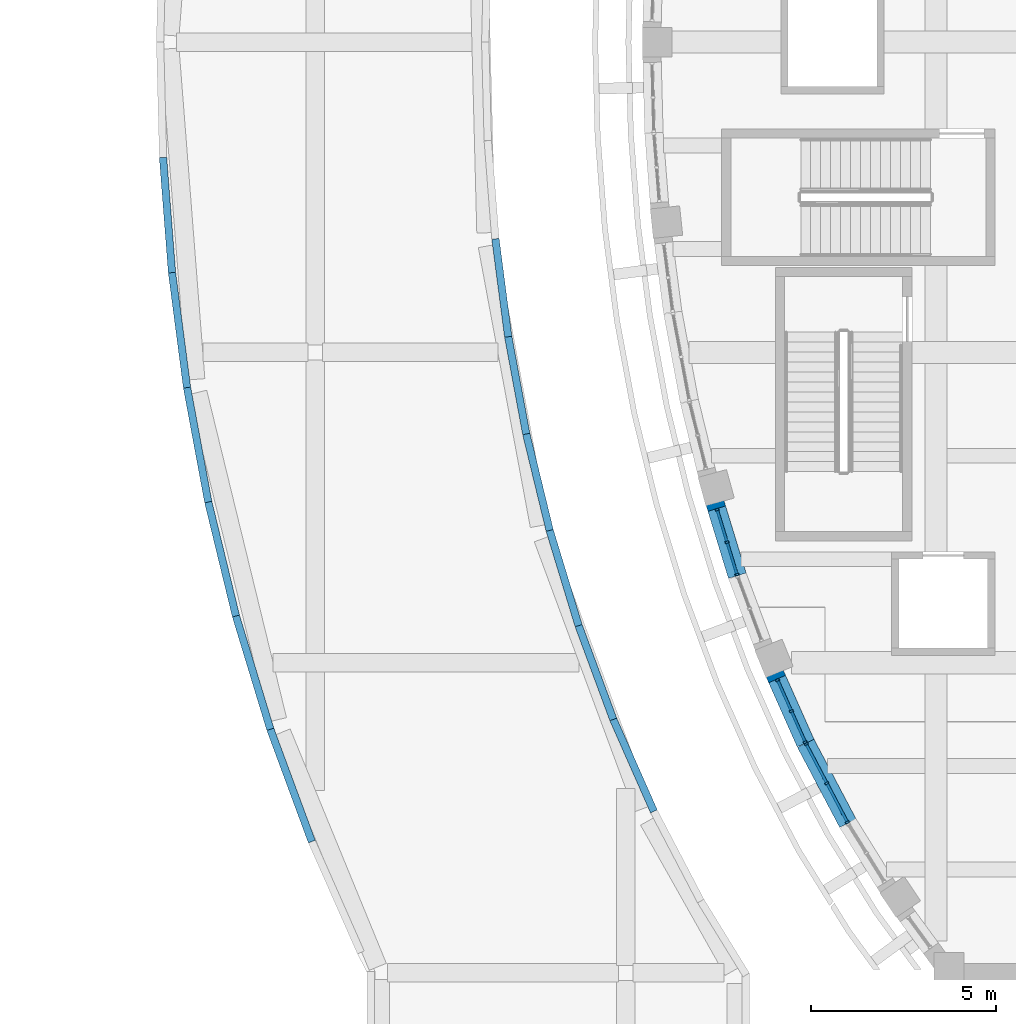
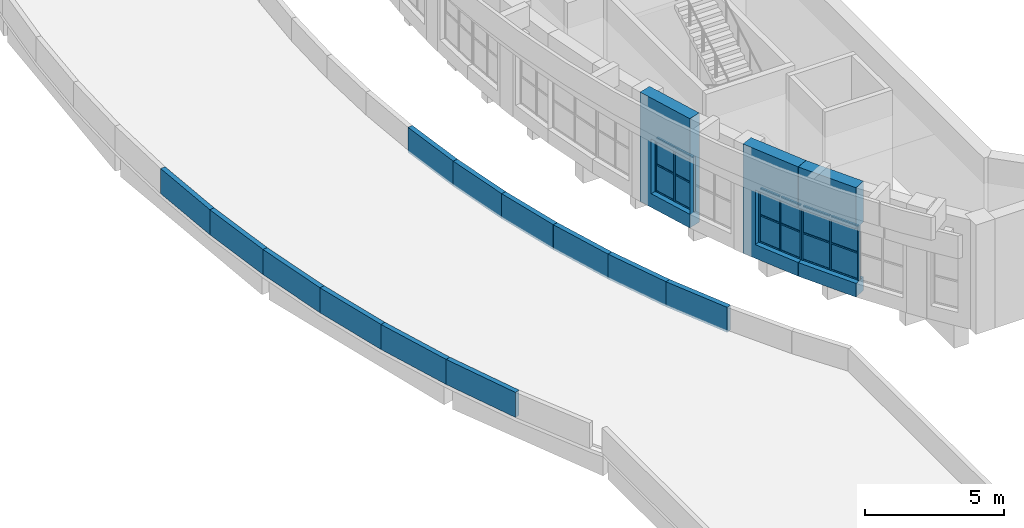
# One storey, part 18 of 79: 27 members, 15 walls, 12 plates, 3 openings, 3 elements without a shape of their own.
"""IFC4 building model written with IfcOpenShell, lengths in metres."""

from ifc_helpers import new_model, si_unit, direction, frame, frame_2d, origin, origin_2d, place, context, subcontext, project, spatial, rectangle, extrude, material, layer, layer_set, material_profile, profile_set, type_object, element, fill, aggregate, save


model = new_model("IFC4")

# Units and contexts
model_context = context("Model", 3, precision=1e-05, world=origin(), true_north=direction((0.0, 1.0)))
body_context = subcontext(model_context, "Body", "Model", "MODEL_VIEW")
ifc_project = project(units=[si_unit("LENGTHUNIT", "METRE"), si_unit("AREAUNIT", "SQUARE_METRE"), si_unit("VOLUMEUNIT", "CUBIC_METRE"), si_unit("PLANEANGLEUNIT", "RADIAN"), si_unit("MASSUNIT", "GRAM", prefix="KILO")], contexts=[model_context])

# Site, building, storey
site_placement = place(None, origin())
site = spatial("IfcSite", under=ifc_project, at=site_placement, CompositionType="ELEMENT")
building_placement = place(site_placement, origin())
building = spatial("IfcBuilding", under=site, at=building_placement, Name="Larchfold Concert Hall", CompositionType="ELEMENT")
storey_placement = place(building_placement, frame((0.0, 0.0, 14.39990234375)))
storey = spatial("IfcBuildingStorey", under=building, at=storey_placement, Name="L03", CompositionType="ELEMENT", Elevation=14.39990234375)

# Curtain wall, members
ifc_material_1 = material(Name="Anodised graphite aluminium curtain wall", Category="aluminium")
ifc_layer_1 = layer(ifc_material_1, 0.10009765625)
ifc_layer_set_1 = layer_set([ifc_layer_1], Name="Anodised graphite aluminium curtain wall")
curtain_wall_type = type_object("IfcCurtainWallType", Name="Curtain wall GB", PredefinedType="NOTDEFINED", material=ifc_layer_set_1)
curtain_wall_1_placement = place(storey_placement, origin())
curtain_wall_1 = element("IfcCurtainWall", 1, at=curtain_wall_1_placement, inside=storey, type_object=curtain_wall_type, Name="Curtain wall CW0044", PredefinedType="NOTDEFINED")
ifc_material_2 = material(Name="Anodised graphite aluminium mullion", Category="aluminium")
ifc_material_profile_1 = material_profile(ifc_material_2, rectangle(XDim=0.10009765625, YDim=0.06005859375, at=origin_2d()))
ifc_profile_set_1 = profile_set([ifc_material_profile_1], Name="Anodised graphite aluminium mullion")
member_type_1 = type_object("IfcMemberType", Name="Aluminium mullion 60x100", PredefinedType="MULLION", material=ifc_profile_set_1)
member_1_placement = place(storey_placement, frame((19.875, 71.94091796875, 0.60009765625), z_axis=(0.0, 0.0, 1.0), x_axis=(0.956258693977, 0.292522324264, 0.0)))
member_1 = element("IfcMember", 2, at=member_1_placement, type_object=member_type_1, Name="CW0044 mullion 1", PredefinedType="MULLION", context=body_context, shape_type="SweptSolid", body=[
    extrude(rectangle(XDim=0.10009765625, YDim=0.06005859375, at=origin_2d()), origin(), (0.0, 0.0, 1.0), 2.39990234375),
])
member_2_placement = place(storey_placement, frame((20.143798828125, 71.061767578125, 0.60009765625), z_axis=(0.0, 0.0, 1.0), x_axis=(0.956258693977, 0.292522324264, 0.0)))
member_2 = element("IfcMember", 3, at=member_2_placement, type_object=member_type_1, Name="CW0044 mullion 2", PredefinedType="MULLION", context=body_context, shape_type="SweptSolid", body=[
    extrude(rectangle(XDim=0.10009765625, YDim=0.06005859375, at=origin_2d()), origin(), (0.0, 0.0, 1.0), 2.39990234375),
])
member_3_placement = place(storey_placement, frame((20.412841796875, 70.182861328125, 0.60009765625), z_axis=(0.0, 0.0, 1.0), x_axis=(0.956258693977, 0.292522324264, 0.0)))
member_3 = element("IfcMember", 4, at=member_3_placement, type_object=member_type_1, Name="CW0044 mullion 3", PredefinedType="MULLION", context=body_context, shape_type="SweptSolid", body=[
    extrude(rectangle(XDim=0.10009765625, YDim=0.06005859375, at=origin_2d()), origin(), (0.0, 0.0, 1.0), 2.39990234375),
])

curtain_wall_2_placement = place(storey_placement, origin())
curtain_wall_2 = element("IfcCurtainWall", 5, at=curtain_wall_2_placement, inside=storey, type_object=curtain_wall_type, Name="Curtain wall CW0046", PredefinedType="NOTDEFINED")
member_4_placement = place(storey_placement, frame((21.511962890625, 67.328857421875, 0.60009765625), z_axis=(0.0, 0.0, 1.0), x_axis=(0.913540898179, 0.406746883645, 0.0)))
member_4 = element("IfcMember", 6, at=member_4_placement, type_object=member_type_1, Name="CW0046 mullion 1", PredefinedType="MULLION", context=body_context, shape_type="SweptSolid", body=[
    extrude(rectangle(XDim=0.10009765625, YDim=0.06005859375, at=origin_2d()), origin(), (0.0, 0.0, 1.0), 2.39990234375),
])
member_5_placement = place(storey_placement, frame((21.8857421875, 66.489013671875, 0.60009765625), z_axis=(0.0, 0.0, 1.0), x_axis=(0.913540898179, 0.406746883645, 0.0)))
member_5 = element("IfcMember", 7, at=member_5_placement, type_object=member_type_1, Name="CW0046 mullion 2", PredefinedType="MULLION", context=body_context, shape_type="SweptSolid", body=[
    extrude(rectangle(XDim=0.10009765625, YDim=0.06005859375, at=origin_2d()), origin(), (0.0, 0.0, 1.0), 2.39990234375),
])
member_6_placement = place(storey_placement, frame((22.259765625, 65.649169921875, 0.60009765625), z_axis=(0.0, 0.0, 1.0), x_axis=(0.913540898179, 0.406746883645, 0.0)))
member_6 = element("IfcMember", 8, at=member_6_placement, type_object=member_type_1, Name="CW0046 mullion 3", PredefinedType="MULLION", context=body_context, shape_type="SweptSolid", body=[
    extrude(rectangle(XDim=0.10009765625, YDim=0.06005859375, at=origin_2d()), origin(), (0.0, 0.0, 1.0), 2.39990234375),
])

curtain_wall_3_placement = place(storey_placement, origin())
curtain_wall_3 = element("IfcCurtainWall", 9, at=curtain_wall_3_placement, inside=storey, type_object=curtain_wall_type, Name="Curtain wall CW0047", PredefinedType="NOTDEFINED")
member_7_placement = place(storey_placement, frame((22.285888671875, 65.59521484375, 0.60009765625), z_axis=(0.0, 0.0, 1.0), x_axis=(0.884548161042, 0.466448872652, 0.0)))
member_7 = element("IfcMember", 10, at=member_7_placement, type_object=member_type_1, Name="CW0047 mullion 1", PredefinedType="MULLION", context=body_context, shape_type="SweptSolid", body=[
    extrude(rectangle(XDim=0.10009765625, YDim=0.06005859375, at=origin_2d()), origin(), (0.0, 0.0, 1.0), 2.39990234375),
])
member_8_placement = place(storey_placement, frame((22.843017578125, 64.53857421875, 0.60009765625), z_axis=(0.0, 0.0, 1.0), x_axis=(0.884548161042, 0.466448872652, 0.0)))
member_8 = element("IfcMember", 11, at=member_8_placement, type_object=member_type_1, Name="CW0047 mullion 2", PredefinedType="MULLION", context=body_context, shape_type="SweptSolid", body=[
    extrude(rectangle(XDim=0.10009765625, YDim=0.06005859375, at=origin_2d()), origin(), (0.0, 0.0, 1.0), 2.39990234375),
])
member_9_placement = place(storey_placement, frame((23.400390625, 63.482177734375, 0.60009765625), z_axis=(0.0, 0.0, 1.0), x_axis=(0.884548161042, 0.466448872652, 0.0)))
member_9 = element("IfcMember", 12, at=member_9_placement, type_object=member_type_1, Name="CW0047 mullion 3", PredefinedType="MULLION", context=body_context, shape_type="SweptSolid", body=[
    extrude(rectangle(XDim=0.10009765625, YDim=0.06005859375, at=origin_2d()), origin(), (0.0, 0.0, 1.0), 2.39990234375),
])

# Member
ifc_material_3 = material(Name="Anodised graphite aluminium transom", Category="aluminium")
ifc_material_profile_2 = material_profile(ifc_material_3, rectangle(XDim=0.080078125, YDim=0.06005859375, at=origin_2d()))
ifc_profile_set_2 = profile_set([ifc_material_profile_2], Name="Anodised graphite aluminium transom")
member_type_2 = type_object("IfcMemberType", Name="Aluminium transom 60x80", PredefinedType="USERDEFINED", material=ifc_profile_set_2)
member_10_placement = place(storey_placement, frame((19.8837890625, 71.912353515625, 0.630126953125), z_axis=(0.292608252028, -0.956232404201, 0.0), x_axis=(0.956232404201, 0.292608252028, 0.0)))
member_10 = element("IfcMember", 13, at=member_10_placement, type_object=member_type_2, Name="CW0044 transom 1.1", ObjectType="TRANSOM", PredefinedType="USERDEFINED", context=body_context, shape_type="SweptSolid", body=[
    extrude(rectangle(XDim=0.080078125, YDim=0.06005859375, at=origin_2d()), origin(), (0.0, 0.0, 1.0), 0.859375),
])

member_11_placement = place(storey_placement, frame((19.8837890625, 71.912353515625, 1.800048828125), z_axis=(0.292608252028, -0.956232404201, 0.0), x_axis=(0.956232404201, 0.292608252028, 0.0)))
member_11 = element("IfcMember", 14, at=member_11_placement, type_object=member_type_2, Name="CW0044 transom 1.2", ObjectType="TRANSOM", PredefinedType="USERDEFINED", context=body_context, shape_type="SweptSolid", body=[
    extrude(rectangle(XDim=0.080078125, YDim=0.06005859375, at=origin_2d()), origin(), (0.0, 0.0, 1.0), 0.859375),
])

member_12_placement = place(storey_placement, frame((19.8837890625, 71.912353515625, 2.969970703125), z_axis=(0.292608252028, -0.956232404201, 0.0), x_axis=(0.956232404201, 0.292608252028, 0.0)))
member_12 = element("IfcMember", 15, at=member_12_placement, type_object=member_type_2, Name="CW0044 transom 1.3", ObjectType="TRANSOM", PredefinedType="USERDEFINED", context=body_context, shape_type="SweptSolid", body=[
    extrude(rectangle(XDim=0.080078125, YDim=0.06005859375, at=origin_2d()), origin(), (0.0, 0.0, 1.0), 0.859375),
])

member_13_placement = place(storey_placement, frame((20.152587890625, 71.033203125, 0.630126953125), z_axis=(0.292608252028, -0.956232404201, 0.0), x_axis=(0.956232404201, 0.292608252028, 0.0)))
member_13 = element("IfcMember", 16, at=member_13_placement, type_object=member_type_2, Name="CW0044 transom 2.1", ObjectType="TRANSOM", PredefinedType="USERDEFINED", context=body_context, shape_type="SweptSolid", body=[
    extrude(rectangle(XDim=0.080078125, YDim=0.06005859375, at=origin_2d()), origin(), (0.0, 0.0, 1.0), 0.859375),
])

member_14_placement = place(storey_placement, frame((20.152587890625, 71.033203125, 1.800048828125), z_axis=(0.292608252028, -0.956232404201, 0.0), x_axis=(0.956232404201, 0.292608252028, 0.0)))
member_14 = element("IfcMember", 17, at=member_14_placement, type_object=member_type_2, Name="CW0044 transom 2.2", ObjectType="TRANSOM", PredefinedType="USERDEFINED", context=body_context, shape_type="SweptSolid", body=[
    extrude(rectangle(XDim=0.080078125, YDim=0.06005859375, at=origin_2d()), origin(), (0.0, 0.0, 1.0), 0.859375),
])

member_15_placement = place(storey_placement, frame((20.152587890625, 71.033203125, 2.969970703125), z_axis=(0.292608252028, -0.956232404201, 0.0), x_axis=(0.956232404201, 0.292608252028, 0.0)))
member_15 = element("IfcMember", 18, at=member_15_placement, type_object=member_type_2, Name="CW0044 transom 2.3", ObjectType="TRANSOM", PredefinedType="USERDEFINED", context=body_context, shape_type="SweptSolid", body=[
    extrude(rectangle(XDim=0.080078125, YDim=0.06005859375, at=origin_2d()), origin(), (0.0, 0.0, 1.0), 0.859375),
])

member_16_placement = place(storey_placement, frame((21.524169921875, 67.30126953125, 0.630126953125), z_axis=(0.406876489942, -0.91348318098, 0.0), x_axis=(0.91348318098, 0.406876489942, 0.0)))
member_16 = element("IfcMember", 19, at=member_16_placement, type_object=member_type_2, Name="CW0046 transom 1.1", ObjectType="TRANSOM", PredefinedType="USERDEFINED", context=body_context, shape_type="SweptSolid", body=[
    extrude(rectangle(XDim=0.080078125, YDim=0.06005859375, at=origin_2d()), origin(), (0.0, 0.0, 1.0), 0.859130859375),
])

member_17_placement = place(storey_placement, frame((21.524169921875, 67.30126953125, 1.800048828125), z_axis=(0.406876489942, -0.91348318098, 0.0), x_axis=(0.91348318098, 0.406876489942, 0.0)))
member_17 = element("IfcMember", 20, at=member_17_placement, type_object=member_type_2, Name="CW0046 transom 1.2", ObjectType="TRANSOM", PredefinedType="USERDEFINED", context=body_context, shape_type="SweptSolid", body=[
    extrude(rectangle(XDim=0.080078125, YDim=0.06005859375, at=origin_2d()), origin(), (0.0, 0.0, 1.0), 0.859130859375),
])

member_18_placement = place(storey_placement, frame((21.524169921875, 67.30126953125, 2.969970703125), z_axis=(0.406876489942, -0.91348318098, 0.0), x_axis=(0.91348318098, 0.406876489942, 0.0)))
member_18 = element("IfcMember", 21, at=member_18_placement, type_object=member_type_2, Name="CW0046 transom 1.3", ObjectType="TRANSOM", PredefinedType="USERDEFINED", context=body_context, shape_type="SweptSolid", body=[
    extrude(rectangle(XDim=0.080078125, YDim=0.06005859375, at=origin_2d()), origin(), (0.0, 0.0, 1.0), 0.859130859375),
])

member_19_placement = place(storey_placement, frame((21.89794921875, 66.461669921875, 0.630126953125), z_axis=(0.406876489942, -0.91348318098, 0.0), x_axis=(0.91348318098, 0.406876489942, 0.0)))
member_19 = element("IfcMember", 22, at=member_19_placement, type_object=member_type_2, Name="CW0046 transom 2.1", ObjectType="TRANSOM", PredefinedType="USERDEFINED", context=body_context, shape_type="SweptSolid", body=[
    extrude(rectangle(XDim=0.080078125, YDim=0.06005859375, at=origin_2d()), origin(), (0.0, 0.0, 1.0), 0.859130859375),
])

member_20_placement = place(storey_placement, frame((21.89794921875, 66.461669921875, 1.800048828125), z_axis=(0.406876489942, -0.91348318098, 0.0), x_axis=(0.91348318098, 0.406876489942, 0.0)))
member_20 = element("IfcMember", 23, at=member_20_placement, type_object=member_type_2, Name="CW0046 transom 2.2", ObjectType="TRANSOM", PredefinedType="USERDEFINED", context=body_context, shape_type="SweptSolid", body=[
    extrude(rectangle(XDim=0.080078125, YDim=0.06005859375, at=origin_2d()), origin(), (0.0, 0.0, 1.0), 0.859130859375),
])

member_21_placement = place(storey_placement, frame((21.89794921875, 66.461669921875, 2.969970703125), z_axis=(0.406876489942, -0.91348318098, 0.0), x_axis=(0.91348318098, 0.406876489942, 0.0)))
member_21 = element("IfcMember", 24, at=member_21_placement, type_object=member_type_2, Name="CW0046 transom 2.3", ObjectType="TRANSOM", PredefinedType="USERDEFINED", context=body_context, shape_type="SweptSolid", body=[
    extrude(rectangle(XDim=0.080078125, YDim=0.06005859375, at=origin_2d()), origin(), (0.0, 0.0, 1.0), 0.859130859375),
])

member_22_placement = place(storey_placement, frame((22.300048828125, 65.56884765625, 0.630126953125), z_axis=(0.466305073165, -0.884623975902, 0.0), x_axis=(0.884623975902, 0.466305073165, 0.0)))
member_22 = element("IfcMember", 25, at=member_22_placement, type_object=member_type_2, Name="CW0047 transom 1.1", ObjectType="TRANSOM", PredefinedType="USERDEFINED", context=body_context, shape_type="SweptSolid", body=[
    extrude(rectangle(XDim=0.080078125, YDim=0.06005859375, at=origin_2d()), origin(), (0.0, 0.0, 1.0), 1.134521484375),
])

member_23_placement = place(storey_placement, frame((22.300048828125, 65.56884765625, 1.800048828125), z_axis=(0.466305073165, -0.884623975902, 0.0), x_axis=(0.884623975902, 0.466305073165, 0.0)))
member_23 = element("IfcMember", 26, at=member_23_placement, type_object=member_type_2, Name="CW0047 transom 1.2", ObjectType="TRANSOM", PredefinedType="USERDEFINED", context=body_context, shape_type="SweptSolid", body=[
    extrude(rectangle(XDim=0.080078125, YDim=0.06005859375, at=origin_2d()), origin(), (0.0, 0.0, 1.0), 1.134521484375),
])

member_24_placement = place(storey_placement, frame((22.300048828125, 65.56884765625, 2.969970703125), z_axis=(0.466305073165, -0.884623975902, 0.0), x_axis=(0.884623975902, 0.466305073165, 0.0)))
member_24 = element("IfcMember", 27, at=member_24_placement, type_object=member_type_2, Name="CW0047 transom 1.3", ObjectType="TRANSOM", PredefinedType="USERDEFINED", context=body_context, shape_type="SweptSolid", body=[
    extrude(rectangle(XDim=0.080078125, YDim=0.06005859375, at=origin_2d()), origin(), (0.0, 0.0, 1.0), 1.134521484375),
])

member_25_placement = place(storey_placement, frame((22.857177734375, 64.51220703125, 0.630126953125), z_axis=(0.466305073165, -0.884623975902, 0.0), x_axis=(0.884623975902, 0.466305073165, 0.0)))
member_25 = element("IfcMember", 28, at=member_25_placement, type_object=member_type_2, Name="CW0047 transom 2.1", ObjectType="TRANSOM", PredefinedType="USERDEFINED", context=body_context, shape_type="SweptSolid", body=[
    extrude(rectangle(XDim=0.080078125, YDim=0.06005859375, at=origin_2d()), origin(), (0.0, 0.0, 1.0), 1.134521484375),
])

member_26_placement = place(storey_placement, frame((22.857177734375, 64.51220703125, 1.800048828125), z_axis=(0.466305073165, -0.884623975902, 0.0), x_axis=(0.884623975902, 0.466305073165, 0.0)))
member_26 = element("IfcMember", 29, at=member_26_placement, type_object=member_type_2, Name="CW0047 transom 2.2", ObjectType="TRANSOM", PredefinedType="USERDEFINED", context=body_context, shape_type="SweptSolid", body=[
    extrude(rectangle(XDim=0.080078125, YDim=0.06005859375, at=origin_2d()), origin(), (0.0, 0.0, 1.0), 1.134521484375),
])

member_27_placement = place(storey_placement, frame((22.857177734375, 64.51220703125, 2.969970703125), z_axis=(0.466305073165, -0.884623975902, 0.0), x_axis=(0.884623975902, 0.466305073165, 0.0)))
member_27 = element("IfcMember", 30, at=member_27_placement, type_object=member_type_2, Name="CW0047 transom 2.3", ObjectType="TRANSOM", PredefinedType="USERDEFINED", context=body_context, shape_type="SweptSolid", body=[
    extrude(rectangle(XDim=0.080078125, YDim=0.06005859375, at=origin_2d()), origin(), (0.0, 0.0, 1.0), 1.134521484375),
])

# Plate
ifc_material_4 = material(Name="Insulated glazing unit, glass", Category="glass")
ifc_layer_2 = layer(ifc_material_4, 0.02392578125)
ifc_layer_set_2 = layer_set([ifc_layer_2], Name="Insulated glazing unit, glass")
plate_type_1 = type_object("IfcPlateType", Name="Glass panel 24", PredefinedType="CURTAIN_PANEL", material=ifc_layer_set_2)
plate_1_placement = place(storey_placement, frame((20.009521484375, 71.50146484375, 1.830078125), z_axis=(0.0, 0.0, 1.0), x_axis=(0.292522324264, -0.956258693977, 0.0)))
plate_1 = element("IfcPlate", 31, at=plate_1_placement, type_object=plate_type_1, Name="CW0044 panel 1.2", PredefinedType="CURTAIN_PANEL", context=body_context, shape_type="SweptSolid", body=[
    extrude(rectangle(XDim=0.859375, YDim=0.02392578125, at=origin_2d()), origin(), (0.0, 0.0, 1.0), 1.10986328125),
])

plate_2_placement = place(storey_placement, frame((20.2783203125, 70.622314453125, 1.830078125), z_axis=(0.0, 0.0, 1.0), x_axis=(0.292522324264, -0.956258693977, 0.0)))
plate_2 = element("IfcPlate", 32, at=plate_2_placement, type_object=plate_type_1, Name="CW0044 panel 2.2", PredefinedType="CURTAIN_PANEL", context=body_context, shape_type="SweptSolid", body=[
    extrude(rectangle(XDim=0.859375, YDim=0.02392578125, at=origin_2d()), origin(), (0.0, 0.0, 1.0), 1.10986328125),
])

plate_3_placement = place(storey_placement, frame((21.698974609375, 66.908935546875, 1.830078125), z_axis=(0.0, 0.0, 1.0), x_axis=(0.406746883645, -0.913540898179, 0.0)))
plate_3 = element("IfcPlate", 33, at=plate_3_placement, type_object=plate_type_1, Name="CW0046 panel 1.2", PredefinedType="CURTAIN_PANEL", context=body_context, shape_type="SweptSolid", body=[
    extrude(rectangle(XDim=0.859375, YDim=0.02392578125, at=origin_2d()), origin(), (0.0, 0.0, 1.0), 1.10986328125),
])

plate_4_placement = place(storey_placement, frame((22.07275390625, 66.069091796875, 1.830078125), z_axis=(0.0, 0.0, 1.0), x_axis=(0.406746883645, -0.913540898179, 0.0)))
plate_4 = element("IfcPlate", 34, at=plate_4_placement, type_object=plate_type_1, Name="CW0046 panel 2.2", PredefinedType="CURTAIN_PANEL", context=body_context, shape_type="SweptSolid", body=[
    extrude(rectangle(XDim=0.859375, YDim=0.02392578125, at=origin_2d()), origin(), (0.0, 0.0, 1.0), 1.10986328125),
])

plate_5_placement = place(storey_placement, frame((22.564453125, 65.06689453125, 1.830078125), z_axis=(0.0, 0.0, 1.0), x_axis=(0.466448872652, -0.884548161042, 0.0)))
plate_5 = element("IfcPlate", 35, at=plate_5_placement, type_object=plate_type_1, Name="CW0047 panel 1.2", PredefinedType="CURTAIN_PANEL", context=body_context, shape_type="SweptSolid", body=[
    extrude(rectangle(XDim=1.134521484375, YDim=0.02392578125, at=origin_2d()), origin(), (0.0, 0.0, 1.0), 1.10986328125),
])

plate_6_placement = place(storey_placement, frame((23.121826171875, 64.010498046875, 1.830078125), z_axis=(0.0, 0.0, 1.0), x_axis=(0.466448872652, -0.884548161042, 0.0)))
plate_6 = element("IfcPlate", 36, at=plate_6_placement, type_object=plate_type_1, Name="CW0047 panel 2.2", PredefinedType="CURTAIN_PANEL", context=body_context, shape_type="SweptSolid", body=[
    extrude(rectangle(XDim=1.134521484375, YDim=0.02392578125, at=origin_2d()), origin(), (0.0, 0.0, 1.0), 1.10986328125),
])

ifc_material_5 = material(Name="White insulated panel")
ifc_layer_3 = layer(ifc_material_5, 0.050048828125)
ifc_layer_set_3 = layer_set([ifc_layer_3], Name="White insulated panel")
plate_type_2 = type_object("IfcPlateType", Name="Insulated spandrel panel 50", PredefinedType="CURTAIN_PANEL", material=ifc_layer_set_3)
plate_7_placement = place(storey_placement, frame((20.009521484375, 71.50146484375, 0.66015625), z_axis=(0.0, 0.0, 1.0), x_axis=(0.292522324264, -0.956258693977, 0.0)))
plate_7 = element("IfcPlate", 37, at=plate_7_placement, type_object=plate_type_2, Name="CW0044 panel 1.1", PredefinedType="CURTAIN_PANEL", context=body_context, shape_type="SweptSolid", body=[
    extrude(rectangle(XDim=0.859375, YDim=0.050048828125, at=origin_2d()), origin(), (0.0, 0.0, 1.0), 1.10986328125),
])

plate_8_placement = place(storey_placement, frame((20.2783203125, 70.622314453125, 0.66015625), z_axis=(0.0, 0.0, 1.0), x_axis=(0.292522324264, -0.956258693977, 0.0)))
plate_8 = element("IfcPlate", 38, at=plate_8_placement, type_object=plate_type_2, Name="CW0044 panel 2.1", PredefinedType="CURTAIN_PANEL", context=body_context, shape_type="SweptSolid", body=[
    extrude(rectangle(XDim=0.859375, YDim=0.050048828125, at=origin_2d()), origin(), (0.0, 0.0, 1.0), 1.10986328125),
])

aggregate(curtain_wall_1, [member_1, member_2, member_3, member_10, member_11, member_12, plate_7, plate_1, member_13, member_14, member_15, plate_8, plate_2])

plate_9_placement = place(storey_placement, frame((21.698974609375, 66.908935546875, 0.66015625), z_axis=(0.0, 0.0, 1.0), x_axis=(0.406746883645, -0.913540898179, 0.0)))
plate_9 = element("IfcPlate", 39, at=plate_9_placement, type_object=plate_type_2, Name="CW0046 panel 1.1", PredefinedType="CURTAIN_PANEL", context=body_context, shape_type="SweptSolid", body=[
    extrude(rectangle(XDim=0.859375, YDim=0.050048828125, at=origin_2d()), origin(), (0.0, 0.0, 1.0), 1.10986328125),
])

plate_10_placement = place(storey_placement, frame((22.07275390625, 66.069091796875, 0.66015625), z_axis=(0.0, 0.0, 1.0), x_axis=(0.406746883645, -0.913540898179, 0.0)))
plate_10 = element("IfcPlate", 40, at=plate_10_placement, type_object=plate_type_2, Name="CW0046 panel 2.1", PredefinedType="CURTAIN_PANEL", context=body_context, shape_type="SweptSolid", body=[
    extrude(rectangle(XDim=0.859375, YDim=0.050048828125, at=origin_2d()), origin(), (0.0, 0.0, 1.0), 1.10986328125),
])

aggregate(curtain_wall_2, [member_4, member_5, member_6, member_16, member_17, member_18, plate_9, plate_3, member_19, member_20, member_21, plate_10, plate_4])

plate_11_placement = place(storey_placement, frame((22.564453125, 65.06689453125, 0.66015625), z_axis=(0.0, 0.0, 1.0), x_axis=(0.466448872652, -0.884548161042, 0.0)))
plate_11 = element("IfcPlate", 41, at=plate_11_placement, type_object=plate_type_2, Name="CW0047 panel 1.1", PredefinedType="CURTAIN_PANEL", context=body_context, shape_type="SweptSolid", body=[
    extrude(rectangle(XDim=1.134521484375, YDim=0.050048828125, at=origin_2d()), origin(), (0.0, 0.0, 1.0), 1.10986328125),
])

plate_12_placement = place(storey_placement, frame((23.121826171875, 64.010498046875, 0.66015625), z_axis=(0.0, 0.0, 1.0), x_axis=(0.466448872652, -0.884548161042, 0.0)))
plate_12 = element("IfcPlate", 42, at=plate_12_placement, type_object=plate_type_2, Name="CW0047 panel 2.1", PredefinedType="CURTAIN_PANEL", context=body_context, shape_type="SweptSolid", body=[
    extrude(rectangle(XDim=1.134521484375, YDim=0.050048828125, at=origin_2d()), origin(), (0.0, 0.0, 1.0), 1.10986328125),
])

aggregate(curtain_wall_3, [member_7, member_8, member_9, member_22, member_23, member_24, plate_11, plate_5, member_25, member_26, member_27, plate_12, plate_6])

# Walls
ifc_material_6 = material(Name="White render on insulated block")
ifc_layer_4 = layer(ifc_material_6, 0.199951171875)
ifc_layer_set_4 = layer_set([ifc_layer_4], Name="White render on insulated block")
wall_type_1 = type_object("IfcWallType", Name="Roof parapet 200", PredefinedType="PARAPET", material=ifc_layer_set_4)
wall_1_placement = place(storey_placement, frame((18.164306640625, 63.774658203125, 0.0), z_axis=(0.0, 0.0, 1.0), x_axis=(-0.404106238923, 0.914712057242, 0.0)))
element("IfcWall", 43, at=wall_1_placement, inside=storey, type_object=wall_type_1, Name="Parapet PW0013", PredefinedType="PARAPET", context=body_context, shape_type="SweptSolid", body=[
    extrude(rectangle(XDim=2.72119140625, YDim=0.199951171875, at=frame_2d((1.360595703125, 0.0))), origin(), (0.0, 0.0, 1.0), 1.10009765625),
])
wall_2_placement = place(storey_placement, frame((17.064697265625, 66.263671875, 0.0), z_axis=(0.0, 0.0, 1.0), x_axis=(-0.346670845582, 0.937986846829, 0.0)))
element("IfcWall", 44, at=wall_2_placement, inside=storey, type_object=wall_type_1, Name="Parapet PW0014", PredefinedType="PARAPET", context=body_context, shape_type="SweptSolid", body=[
    extrude(rectangle(XDim=2.706298828125, YDim=0.199951171875, at=frame_2d((1.35302734375, 0.0))), origin(), (0.0, 0.0, 1.0), 1.10009765625),
])
wall_3_placement = place(storey_placement, frame((16.12646484375, 68.80224609375, 0.0), z_axis=(0.0, 0.0, 1.0), x_axis=(-0.290646029111, 0.956830646333, 0.0)))
element("IfcWall", 45, at=wall_3_placement, inside=storey, type_object=wall_type_1, Name="Parapet PW0015", PredefinedType="PARAPET", context=body_context, shape_type="SweptSolid", body=[
    extrude(rectangle(XDim=2.694580078125, YDim=0.199951171875, at=frame_2d((1.34716796875, 0.0))), origin(), (0.0, 0.0, 1.0), 1.10009765625),
])
wall_4_placement = place(storey_placement, frame((15.34326171875, 71.380615234375, 0.0), z_axis=(0.0, 0.0, 1.0), x_axis=(-0.235982607042, 0.97175727894, 0.0)))
element("IfcWall", 46, at=wall_4_placement, inside=storey, type_object=wall_type_1, Name="Parapet PW0016", PredefinedType="PARAPET", context=body_context, shape_type="SweptSolid", body=[
    extrude(rectangle(XDim=2.684814453125, YDim=0.199951171875, at=frame_2d((1.34228515625, 0.0))), origin(), (0.0, 0.0, 1.0), 1.10009765625),
])
wall_5_placement = place(storey_placement, frame((14.709716796875, 73.989501953125, 0.0), z_axis=(0.0, 0.0, 1.0), x_axis=(-0.182471301325, 0.983211179855, 0.0)))
element("IfcWall", 47, at=wall_5_placement, inside=storey, type_object=wall_type_1, Name="Parapet PW0017", PredefinedType="PARAPET", context=body_context, shape_type="SweptSolid", body=[
    extrude(rectangle(XDim=2.67724609375, YDim=0.199951171875, at=frame_2d((1.338623046875, 0.0))), origin(), (0.0, 0.0, 1.0), 1.10009765625),
])
wall_6_placement = place(storey_placement, frame((14.22119140625, 76.621826171875, 0.0), z_axis=(0.0, 0.0, 1.0), x_axis=(-0.129655579611, 0.991559090864, 0.0)))
element("IfcWall", 48, at=wall_6_placement, inside=storey, type_object=wall_type_1, Name="Parapet PW0018", PredefinedType="PARAPET", context=body_context, shape_type="SweptSolid", body=[
    extrude(rectangle(XDim=2.671875, YDim=0.199951171875, at=frame_2d((1.3359375, 0.0))), origin(), (0.0, 0.0, 1.0), 1.10009765625),
])
wall_7_placement = place(storey_placement, frame((4.876220703125, 81.47705078125, 0.0), z_axis=(0.0, 0.0, 1.0), x_axis=(0.077514273699, -0.996991242375, 0.0)))
element("IfcWall", 49, at=wall_7_placement, inside=storey, type_object=wall_type_1, Name="Parapet PW0063", PredefinedType="PARAPET", context=body_context, shape_type="SweptSolid", body=[
    extrude(rectangle(XDim=3.127685546875, YDim=0.199951171875, at=frame_2d((1.56396484375, 0.0))), origin(), (0.0, 0.0, 1.0), 1.10009765625),
])
wall_8_placement = place(storey_placement, frame((5.11865234375, 78.35888671875, 0.0), z_axis=(0.0, 0.0, 1.0), x_axis=(0.129788245562, -0.99154173453, 0.0)))
element("IfcWall", 50, at=wall_8_placement, inside=storey, type_object=wall_type_1, Name="Parapet PW0064", PredefinedType="PARAPET", context=body_context, shape_type="SweptSolid", body=[
    extrude(rectangle(XDim=3.1376953125, YDim=0.199951171875, at=frame_2d((1.56884765625, 0.0))), origin(), (0.0, 0.0, 1.0), 1.10009765625),
])
wall_9_placement = place(storey_placement, frame((5.52587890625, 75.247802734375, 0.0), z_axis=(0.0, 0.0, 1.0), x_axis=(0.182427522397, -0.983219303651, 0.0)))
element("IfcWall", 51, at=wall_9_placement, inside=storey, type_object=wall_type_1, Name="Parapet PW0065", PredefinedType="PARAPET", context=body_context, shape_type="SweptSolid", body=[
    extrude(rectangle(XDim=3.153076171875, YDim=0.199951171875, at=frame_2d((1.57666015625, 0.0))), origin(), (0.0, 0.0, 1.0), 1.10009765625),
])
wall_10_placement = place(storey_placement, frame((6.10107421875, 72.147705078125, 0.0), z_axis=(0.0, 0.0, 1.0), x_axis=(0.235963100428, -0.971762015741, 0.0)))
element("IfcWall", 52, at=wall_10_placement, inside=storey, type_object=wall_type_1, Name="Parapet PW0066", PredefinedType="PARAPET", context=body_context, shape_type="SweptSolid", body=[
    extrude(rectangle(XDim=3.17529296875, YDim=0.199951171875, at=frame_2d((1.587646484375, 0.0))), origin(), (0.0, 0.0, 1.0), 1.10009765625),
])
wall_11_placement = place(storey_placement, frame((6.850341796875, 69.06201171875, 0.0), z_axis=(0.0, 0.0, 1.0), x_axis=(0.290624877668, -0.956837071021, 0.0)))
element("IfcWall", 53, at=wall_11_placement, inside=storey, type_object=wall_type_1, Name="Parapet PW0067", PredefinedType="PARAPET", context=body_context, shape_type="SweptSolid", body=[
    extrude(rectangle(XDim=3.203857421875, YDim=0.199951171875, at=frame_2d((1.60205078125, 0.0))), origin(), (0.0, 0.0, 1.0), 1.10009765625),
])
wall_12_placement = place(storey_placement, frame((7.781494140625, 65.996337890625, 0.0), z_axis=(0.0, 0.0, 1.0), x_axis=(0.346627080337, -0.938003020878, 0.0)))
element("IfcWall", 54, at=wall_12_placement, inside=storey, type_object=wall_type_1, Name="Parapet PW0068", PredefinedType="PARAPET", context=body_context, shape_type="SweptSolid", body=[
    extrude(rectangle(XDim=3.239990234375, YDim=0.199951171875, at=frame_2d((1.6201171875, 0.0))), origin(), (0.0, 0.0, 1.0), 1.10009765625),
])

# Wall, opening
ifc_material_7 = material(Name="Concrete C30/37", Category="concrete")
ifc_layer_5 = layer(ifc_material_7, 0.5)
ifc_layer_set_5 = layer_set([ifc_layer_5], Name="Concrete C30/37")
wall_type_2 = type_object("IfcWallType", Name="Wall RC 500 drum facade", PredefinedType="SOLIDWALL", material=ifc_layer_set_5)
wall_13_placement = place(storey_placement, frame((19.705322265625, 72.495849609375, 0.0), z_axis=(0.0, 0.0, 1.0), x_axis=(0.29250219685, -0.95626485078, 0.0)))
wall_13 = element("IfcWall", 55, at=wall_13_placement, inside=storey, type_object=wall_type_2, Name="Wall DW044", PredefinedType="SOLIDWALL", context=body_context, shape_type="SweptSolid", body=[
    extrude(rectangle(XDim=2.448974609375, YDim=0.5, at=frame_2d((1.224609375, 0.0))), origin(), (0.0, 0.0, 1.0), 4.800048828125),
])
opening_1_placement = place(wall_13_placement, frame((0.55029296875, 0.0, 0.60009765625)))
opening_1 = element("IfcOpeningElement", 56, at=opening_1_placement, cuts=wall_13, Name="Opening CW0044", PredefinedType="OPENING", context=body_context, shape_type="SweptSolid", body=[
    extrude(rectangle(XDim=1.898681640625, YDim=2.39990234375, at=frame_2d((0.94921875, 1.199951171875))), frame((0.0, 0.260009765625, 0.0), z_axis=(0.0, -1.0, 0.0), x_axis=(1.0, 0.0, 0.0)), (0.0, 0.0, 1.0), 0.52001953125),
])

fill(opening_1, curtain_wall_1)

wall_14_placement = place(storey_placement, frame((21.27587890625, 67.85888671875, 0.0), z_axis=(0.0, 0.0, 1.0), x_axis=(0.406767391574, -0.913531766909, 0.0)))
wall_14 = element("IfcWall", 57, at=wall_14_placement, inside=storey, type_object=wall_type_2, Name="Wall DW046", PredefinedType="SOLIDWALL", context=body_context, shape_type="SweptSolid", body=[
    extrude(rectangle(XDim=2.44873046875, YDim=0.5, at=frame_2d((1.224365234375, 0.0))), origin(), (0.0, 0.0, 1.0), 4.800048828125),
])
opening_2_placement = place(wall_14_placement, frame((0.55029296875, 0.0, 0.60009765625)))
opening_2 = element("IfcOpeningElement", 58, at=opening_2_placement, cuts=wall_14, Name="Opening CW0046", PredefinedType="OPENING", context=body_context, shape_type="SweptSolid", body=[
    extrude(rectangle(XDim=1.8984375, YDim=2.39990234375, at=frame_2d((0.94921875, 1.199951171875))), frame((0.0, 0.260009765625, 0.0), z_axis=(0.0, -1.0, 0.0), x_axis=(1.0, 0.0, 0.0)), (0.0, 0.0, 1.0), 0.52001953125),
])

fill(opening_2, curtain_wall_2)

wall_15_placement = place(storey_placement, frame((22.27197265625, 65.621826171875, 0.0), z_axis=(0.0, 0.0, 1.0), x_axis=(0.466448872517, -0.884548161112, 0.0)))
wall_15 = element("IfcWall", 59, at=wall_15_placement, inside=storey, type_object=wall_type_2, Name="Wall DW047", PredefinedType="SOLIDWALL", context=body_context, shape_type="SweptSolid", body=[
    extrude(rectangle(XDim=2.448974609375, YDim=0.5, at=frame_2d((1.224609375, 0.0))), origin(), (0.0, 0.0, 1.0), 4.800048828125),
])
opening_3_placement = place(wall_15_placement, frame((0.0, 0.0, 0.60009765625)))
opening_3 = element("IfcOpeningElement", 60, at=opening_3_placement, cuts=wall_15, Name="Opening CW0047", PredefinedType="OPENING", context=body_context, shape_type="SweptSolid", body=[
    extrude(rectangle(XDim=2.448974609375, YDim=2.39990234375, at=frame_2d((1.224609375, 1.199951171875))), frame((0.0, 0.260009765625, 0.0), z_axis=(0.0, -1.0, 0.0), x_axis=(1.0, 0.0, 0.0)), (0.0, 0.0, 1.0), 0.52001953125),
])

fill(opening_3, curtain_wall_3)

save(model, "model.ifc")
